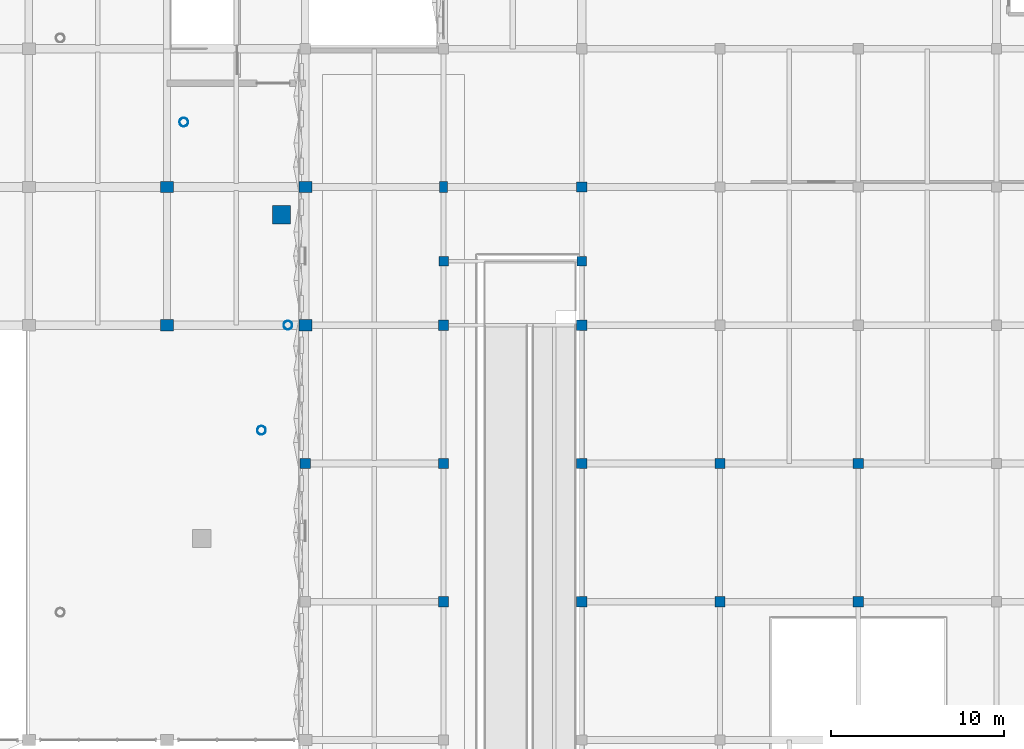
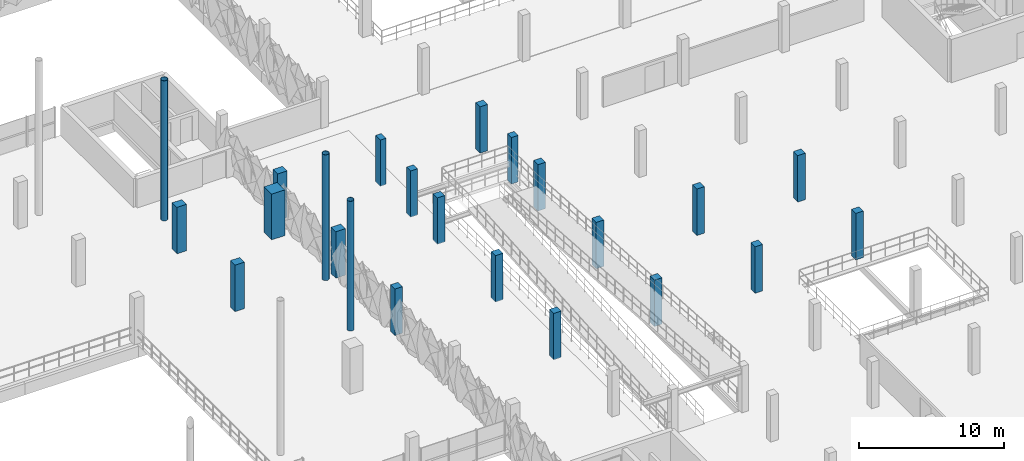
# One storey, part 13 of 123: 23 columns.
"""IFC4 building model written with IfcOpenShell, lengths in metres."""

import ifcopenshell
import ifcopenshell.guid

model = None  # the IFC model being written
_history = None  # IfcOwnerHistory: only IFC2X3 demands one
_inside = {}  # id of a spatial element -> (the spatial element, [elements in it])
_under = {}  # id of a project, library or spatial element -> (it, [spatial elements below it])
_declared = {}  # id of a project -> (the project, [libraries it declares])
_typed = {}  # id of a type object -> (the type object, [elements of that type])
_made_of = {}  # id of a material, layer set ... -> (it, [elements and type objects made of it])


def new_model(schema):
    """Start an empty IFC model of exactly this schema.

    Asked for "IFC4X3", IfcOpenShell would pick the latest addendum, in which some entities
    have other attributes; the version numbers below select the first issue.
    IFC2X3 requires an IfcOwnerHistory on every rooted entity: one is made here for all.
    """
    global model, _history
    if schema == "IFC4X3":
        model = ifcopenshell.file(schema_version=(4, 3, 0, 0))
    else:
        model = ifcopenshell.file(schema=schema)
    _inside.clear()
    _under.clear()
    _declared.clear()
    _typed.clear()
    _made_of.clear()
    _history = None
    if model.schema == "IFC2X3":
        org = make("IfcOrganization", Name="unknown")
        user = make(
            "IfcPersonAndOrganization",
            ThePerson=make("IfcPerson", FamilyName="unknown"),
            TheOrganization=org,
        )
        app = make(
            "IfcApplication",
            ApplicationDeveloper=org,
            Version="unknown",
            ApplicationFullName="unknown",
            ApplicationIdentifier="unknown",
        )
        _history = make(
            "IfcOwnerHistory",
            OwningUser=user,
            OwningApplication=app,
            ChangeAction="ADDED",
            CreationDate=0,
        )
    return model


def make(cls, **values):
    """One entity of the class cls with the attributes given. An attribute that is None is left unset."""
    return model.create_entity(
        cls, **{name: value for name, value in values.items() if value is not None}
    )


def rooted(cls, **values):
    """An entity with a GlobalId (a new one), such as an element, a storey or a relation."""
    return make(cls, GlobalId=ifcopenshell.guid.new(), OwnerHistory=_history, **values)


def si_unit(unit_type, name, prefix=None):
    """IfcSIUnit, for example si_unit("LENGTHUNIT", "METRE", prefix="MILLI")."""
    return make("IfcSIUnit", UnitType=unit_type, Prefix=prefix, Name=name)


def derived_unit(unit_type, elements):
    """IfcDerivedUnit: a product of units, each with its exponent."""
    return make(
        "IfcDerivedUnit",
        Elements=[
            make("IfcDerivedUnitElement", Unit=unit, Exponent=power)
            for unit, power in elements
        ],
        UnitType=unit_type,
    )


def assignment(units):
    """IfcUnitAssignment: the units of a project."""
    return None if units is None else make("IfcUnitAssignment", Units=units)


def point(xyz):
    """IfcCartesianPoint."""
    return None if xyz is None else make("IfcCartesianPoint", Coordinates=xyz)


def direction(xyz):
    """IfcDirection."""
    return None if xyz is None else make("IfcDirection", DirectionRatios=xyz)


def frame(location, z_axis=None, x_axis=None):
    """IfcAxis2Placement3D, a coordinate frame: its origin and axes. An axis left out is left unset."""
    return make(
        "IfcAxis2Placement3D",
        Location=point(location),
        Axis=direction(z_axis),
        RefDirection=direction(x_axis),
    )


def frame_2d(location, x_axis=None):
    """IfcAxis2Placement2D, a coordinate frame in the plane: its origin and x axis."""
    return make(
        "IfcAxis2Placement2D", Location=point(location), RefDirection=direction(x_axis)
    )


def origin():
    """The frame at (0, 0, 0) with its axes left unset."""
    return frame((0.0, 0.0, 0.0))


def origin_2d():
    """The frame at (0, 0) in the plane with its x axis left unset."""
    return frame_2d((0.0, 0.0))


def place(relative_to, where):
    """IfcLocalPlacement: puts the frame where relative to a parent placement (None: the world)."""
    return make(
        "IfcLocalPlacement", PlacementRelTo=relative_to, RelativePlacement=where
    )


def context(
    kind, dimensions, precision=None, world=None, true_north=None, identifier=None
):
    """IfcGeometricRepresentationContext, for example the 3D "Model" context."""
    return make(
        "IfcGeometricRepresentationContext",
        ContextIdentifier=identifier,
        ContextType=kind,
        CoordinateSpaceDimension=dimensions,
        Precision=precision,
        WorldCoordinateSystem=world,
        TrueNorth=true_north,
    )


def subcontext(parent, identifier, kind, view, scale=None):
    """IfcGeometricRepresentationSubContext, for example "Body" below "Model"."""
    return make(
        "IfcGeometricRepresentationSubContext",
        ContextIdentifier=identifier,
        ContextType=kind,
        ParentContext=parent,
        TargetScale=scale,
        TargetView=view,
    )


def project(units=None, contexts=None):
    """IfcProject with its units and contexts."""
    return rooted(
        "IfcProject",
        Name="project",
        RepresentationContexts=contexts,
        UnitsInContext=assignment(units),
    )


def spatial(cls, under=None, at=None, **own):
    """A site, building, storey or space (cls), placed at a placement, below another one or the project."""
    s = rooted(cls, ObjectPlacement=at, **own)
    if under is not None:
        _under.setdefault(under.id(), (under, []))[1].append(s)
    return s


def profile(cls, at=None, kind="AREA", **sizes):
    """A parametric profile (cls). Its sizes go by their IFC names, for example OverallWidth=200.0."""
    return make(cls, ProfileType=kind, Position=at, **sizes)


def rectangle(**sizes):
    """IfcRectangleProfileDef."""
    return profile("IfcRectangleProfileDef", **sizes)


def hollow_circle(**sizes):
    """IfcCircleHollowProfileDef."""
    return profile("IfcCircleHollowProfileDef", **sizes)


def extrude(swept, where, along, depth):
    """IfcExtrudedAreaSolid: the profile swept, set in the frame where, extruded along a direction by depth."""
    return make(
        "IfcExtrudedAreaSolid",
        SweptArea=swept,
        Position=where,
        ExtrudedDirection=direction(along),
        Depth=depth,
    )


def shape(context_of_items, identifier, shape_type, items):
    """IfcShapeRepresentation: the items that make up one representation, for example the "Body"."""
    return make(
        "IfcShapeRepresentation",
        ContextOfItems=context_of_items,
        RepresentationIdentifier=identifier,
        RepresentationType=shape_type,
        Items=items,
    )


def material(Name=None, Category=None):
    """IfcMaterial."""
    return make("IfcMaterial", Name=Name, Category=Category)


def material_profile(
    of_material, cross_section, Name=None, Category=None, Priority=None
):
    """IfcMaterialProfile: a cross section and its material."""
    return make(
        "IfcMaterialProfile",
        Name=Name,
        Material=of_material,
        Profile=cross_section,
        Priority=Priority,
        Category=Category,
    )


def profile_set(profiles, Name=None, composite=None):
    """IfcMaterialProfileSet."""
    return make(
        "IfcMaterialProfileSet",
        Name=Name,
        MaterialProfiles=profiles,
        CompositeProfile=composite,
    )


def made_of(thing, what):
    """Note that an element or type object is made of a material, layer set ...; save() writes the relation."""
    if what is not None:
        _made_of.setdefault(what.id(), (what, []))[1].append(thing)
    return thing


def type_object(cls, material=None, **own):
    """A type object (cls), such as IfcWallType, which elements share."""
    return made_of(rooted(cls, **own), material)


def element(
    cls,
    number,
    at=None,
    inside=None,
    cuts=None,
    type_object=None,
    material=None,
    context=None,
    identifier="Body",
    shape_type=None,
    held_by="IfcProductDefinitionShape",
    body=None,
    shapes=None,
    **own,
):
    """One element of the class cls, such as IfcWall. Its Tag is "e" and its number.

    at: its placement. inside: the storey or other place that contains it. cuts: it is an
    opening in that element (IfcRelVoidsElement). A single representation is given by context,
    identifier, shape_type and body (its items); several are given by shapes. held_by: the class
    of the entity that holds the representations. save() writes the other relations.
    """
    e = rooted(cls, Tag="e%d" % number, ObjectPlacement=at, **own)
    if body is not None:
        shapes = [shape(context, identifier, shape_type, body)]
    if shapes is not None:
        e.Representation = make(held_by, Representations=shapes)
    if inside is not None:
        _inside.setdefault(inside.id(), (inside, []))[1].append(e)
    if cuts is not None:
        rooted(
            "IfcRelVoidsElement", RelatingBuildingElement=cuts, RelatedOpeningElement=e
        )
    if type_object is not None:
        _typed.setdefault(type_object.id(), (type_object, []))[1].append(e)
    return made_of(e, material)


def aggregate(whole, parts):
    """IfcRelAggregates: a whole, such as a stair, and the parts it consists of."""
    return rooted("IfcRelAggregates", RelatingObject=whole, RelatedObjects=parts)


def save(model, path):
    """Write the relations noted so far, then the file.

    IfcRelAggregates (storeys below a building ...), IfcRelContainedInSpatialStructure (elements
    in a storey), IfcRelDefinesByType, IfcRelAssociatesMaterial and IfcRelDeclares: one each for
    every whole, place, type object, material and project.
    """
    for whole, parts in _under.values():
        aggregate(whole, parts)
    for where, things in _inside.values():
        rooted(
            "IfcRelContainedInSpatialStructure",
            RelatedElements=things,
            RelatingStructure=where,
        )
    for kind, things in _typed.values():
        rooted("IfcRelDefinesByType", RelatedObjects=things, RelatingType=kind)
    for what, things in _made_of.values():
        rooted("IfcRelAssociatesMaterial", RelatedObjects=things, RelatingMaterial=what)
    for by, libraries in _declared.values():
        rooted("IfcRelDeclares", RelatingContext=by, RelatedDefinitions=libraries)
    model.write(path)


model = new_model("IFC4")

# Units and contexts
model_context = context("Model", 3, precision=1e-05, world=origin(), true_north=direction((0.0, 1.0)))
body_context = subcontext(model_context, "Body", "Model", "MODEL_VIEW")
ifc_project = project(units=[si_unit("LENGTHUNIT", "METRE"), si_unit("AREAUNIT", "SQUARE_METRE"), si_unit("VOLUMEUNIT", "CUBIC_METRE"), si_unit("PLANEANGLEUNIT", "RADIAN"), si_unit("MASSUNIT", "GRAM", prefix="KILO"), si_unit("THERMODYNAMICTEMPERATUREUNIT", "KELVIN"), derived_unit("THERMALTRANSMITTANCEUNIT", [(si_unit("POWERUNIT", "WATT"), 1), (si_unit("AREAUNIT", "SQUARE_METRE"), -1), (si_unit("THERMODYNAMICTEMPERATUREUNIT", "KELVIN"), -1)])], contexts=[model_context])

# Site, building, storey
site_placement = place(None, origin())
site = spatial("IfcSite", under=ifc_project, at=site_placement, CompositionType="ELEMENT")
building_placement = place(site_placement, origin())
building = spatial("IfcBuilding", under=site, at=building_placement, Name="Haiyu Intermodal Mobility Hub", CompositionType="ELEMENT")
storey_placement = place(building_placement, frame((0.0, 0.0, 5.60009765625)))
storey = spatial("IfcBuildingStorey", under=building, at=storey_placement, Name="L01", CompositionType="ELEMENT", Elevation=5.60009765625)

# Columns
ifc_material_1 = material(Name="Concrete C40", Category="concrete")
ifc_material_profile_1 = material_profile(ifc_material_1, rectangle(XDim=0.75, YDim=0.64990234375, at=origin_2d()), Name="RC750x650")
ifc_profile_set_1 = profile_set([ifc_material_profile_1], Name="Concrete C40")
column_type_1 = type_object("IfcColumnType", Name="COL-CC07", PredefinedType="COLUMN", material=ifc_profile_set_1)
for number, where, z_axis, x_axis, name in (
    (1, (146.0, 64.0, 0.0), (0.0, 0.0, 1.0), (1.0, 0.0, 0.0), "Column V1-16G L01"),
    (2, (146.0, 72.0, 0.0), (0.0, 0.0, 1.0), (1.0, 0.0, 0.0), "Column V1-16H L01"),
    (3, (154.0, 64.0, 0.0), (0.0, 0.0, 1.0), (1.0, 0.0, 0.0), "Column V1-17G L01"),
    (4, (154.0, 72.0, 0.0), (0.0, 0.0, 1.0), (1.0, 0.0, 0.0), "Column V1-17H L01"),
):
    element("IfcColumn", number, at=place(storey_placement, frame(where, z_axis=z_axis, x_axis=x_axis)), inside=storey, type_object=column_type_1, Name=name, PredefinedType="COLUMN", context=body_context, shape_type="SweptSolid", body=[
        extrude(rectangle(XDim=0.75, YDim=0.64990234375, at=origin_2d()), origin(), (0.0, 0.0, 1.0), 3.89990234375),
    ])
ifc_material_profile_2 = material_profile(ifc_material_1, rectangle(XDim=0.60009765625, YDim=0.60009765625, at=origin_2d()), Name="RC600x600")
ifc_profile_set_2 = profile_set([ifc_material_profile_2], Name="Concrete C40")
column_type_2 = type_object("IfcColumnType", Name="COL-CC10", PredefinedType="COLUMN", material=ifc_profile_set_2)
for number, where, z_axis, x_axis, name in (
    (5, (170.0, 48.0, 0.0), (0.0, 0.0, 1.0), (1.0, 0.0, 0.0), "Column V5-19E L01"),
    (6, (170.0, 56.0, 0.0), (0.0, 0.0, 1.0), (1.0, 0.0, 0.0), "Column V5-19F L01"),
    (7, (170.0, 64.0, 0.0), (0.0, 0.0, 1.0), (1.0, 0.0, 0.0), "Column V5-19G L01"),
    (8, (178.0, 48.0, 0.0), (0.0, 0.0, 1.0), (1.0, 0.0, 0.0), "Column V5-20E L01"),
    (9, (178.0, 56.0, 0.0), (0.0, 0.0, 1.0), (1.0, 0.0, 0.0), "Column V5-20F L01"),
    (10, (186.0, 48.0, 0.0), (0.0, 0.0, 1.0), (1.0, 0.0, 0.0), "Column V5-21E L01"),
    (11, (186.0, 56.0, 0.0), (0.0, 0.0, 1.0), (1.0, 0.0, 0.0), "Column V5-21F L01"),
):
    element("IfcColumn", number, at=place(storey_placement, frame(where, z_axis=z_axis, x_axis=x_axis)), inside=storey, type_object=column_type_2, Name=name, PredefinedType="COLUMN", context=body_context, shape_type="SweptSolid", body=[
        extrude(rectangle(XDim=0.60009765625, YDim=0.60009765625, at=origin_2d()), origin(), (0.0, 0.0, 1.0), 3.89990234375),
    ])
ifc_material_profile_3 = material_profile(ifc_material_1, rectangle(XDim=0.60009765625, YDim=0.60009765625, at=origin_2d()), Name="RC600x600")
ifc_profile_set_3 = profile_set([ifc_material_profile_3], Name="Concrete C40")
column_type_3 = type_object("IfcColumnType", Name="COL-CC10-EXT", PredefinedType="COLUMN", material=ifc_profile_set_3)
for number, where, z_axis, x_axis, name in (
    (12, (154.0, 56.0, 0.0), (0.0, 0.0, 1.0), (1.0, 0.0, 0.0), "Column V5-17F L01"),
    (13, (162.0, 48.0, 0.0), (0.0, 0.0, 1.0), (1.0, 0.0, 0.0), "Column V5-18E L01"),
    (14, (162.0, 56.0, 0.0), (0.0, 0.0, 1.0), (1.0, 0.0, 0.0), "Column V5-18F L01"),
    (15, (162.0, 64.0, 0.0), (0.0, 0.0, 1.0), (1.0, 0.0, 0.0), "Column V5-18G L01"),
    (16, (170.0, 72.0, 0.0), (0.0, 0.0, 1.0), (1.0, 0.0, 0.0), "Column V5-19H L01"),
):
    element("IfcColumn", number, at=place(storey_placement, frame(where, z_axis=z_axis, x_axis=x_axis)), inside=storey, type_object=column_type_3, Name=name, PredefinedType="COLUMN", context=body_context, shape_type="SweptSolid", body=[
        extrude(rectangle(XDim=0.60009765625, YDim=0.60009765625, at=origin_2d()), origin(), (0.0, 0.0, 1.0), 3.89990234375),
    ])
ifc_material_profile_4 = material_profile(ifc_material_1, rectangle(XDim=0.550048828125, YDim=0.550048828125, at=origin_2d()), Name="RC550x550")
ifc_profile_set_4 = profile_set([ifc_material_profile_4], Name="Concrete C40")
column_type_4 = type_object("IfcColumnType", Name="COL-CC11", PredefinedType="COLUMN", material=ifc_profile_set_4)
for number, where, z_axis, x_axis, name in (
    (17, (162.0, 67.699951171875, 0.0), (0.0, 0.0, 1.0), (1.0, 0.0, 0.0), "Column BRMP-5 L01"),
    (18, (170.0, 67.699951171875, 0.0), (0.0, 0.0, 1.0), (1.0, 0.0, 0.0), "Column BRMP-6 L01"),
):
    element("IfcColumn", number, at=place(storey_placement, frame(where, z_axis=z_axis, x_axis=x_axis)), inside=storey, type_object=column_type_4, Name=name, PredefinedType="COLUMN", context=body_context, shape_type="SweptSolid", body=[
        extrude(rectangle(XDim=0.550048828125, YDim=0.550048828125, at=origin_2d()), origin(), (0.0, 0.0, 1.0), 3.89990234375),
    ])
ifc_material_profile_5 = material_profile(ifc_material_1, rectangle(XDim=1.050048828125, YDim=1.050048828125, at=origin_2d()), Name="RC1050x1050")
ifc_profile_set_5 = profile_set([ifc_material_profile_5], Name="Concrete C40")
column_type_5 = type_object("IfcColumnType", Name="COL-CC12-EXT", PredefinedType="COLUMN", material=ifc_profile_set_5)
column_1_placement = place(storey_placement, frame((152.6259765625, 70.39306640625, 0.0), z_axis=(0.0, 0.0, 1.0), x_axis=(1.0, 0.0, 0.0)))
element("IfcColumn", 19, at=column_1_placement, inside=storey, type_object=column_type_5, Name="Column MP-01 L01", PredefinedType="COLUMN", context=body_context, shape_type="SweptSolid", body=[
    extrude(rectangle(XDim=1.050048828125, YDim=1.050048828125, at=origin_2d()), origin(), (0.0, 0.0, 1.0), 3.8349609375),
])
ifc_material_profile_6 = material_profile(ifc_material_1, rectangle(XDim=0.449951171875, YDim=0.64990234375, at=origin_2d()), Name="C450x650")
ifc_profile_set_6 = profile_set([ifc_material_profile_6], Name="Concrete C40")
column_type_6 = type_object("IfcColumnType", Name="COL-PL13-EXT", PredefinedType="PILASTER", material=ifc_profile_set_6)
column_2_placement = place(storey_placement, frame((162.0, 72.0, 0.0), z_axis=(0.0, 0.0, 1.0), x_axis=(1.0, 0.0, 0.0)))
element("IfcColumn", 20, at=column_2_placement, inside=storey, type_object=column_type_6, Name="Column V5-18H L01", PredefinedType="PILASTER", context=body_context, shape_type="SweptSolid", body=[
    extrude(rectangle(XDim=0.449951171875, YDim=0.64990234375, at=origin_2d()), origin(), (0.0, 0.0, 1.0), 3.89990234375),
])
ifc_material_2 = material(Name="Steel Q355C", Category="steel")
ifc_material_profile_7 = material_profile(ifc_material_2, hollow_circle(Radius=0.25390625, WallThickness=0.01611328125, at=origin_2d()), Name="CHS508x16")
ifc_profile_set_7 = profile_set([ifc_material_profile_7], Name="Steel Q355C")
column_type_7 = type_object("IfcColumnType", Name="COL-SC02-EXT", PredefinedType="COLUMN", material=ifc_profile_set_7)
column_3_placement = place(storey_placement, frame((153.0, 64.0, 0.0), z_axis=(0.0, 0.0, 1.0), x_axis=(1.0, 0.0, 0.0)))
element("IfcColumn", 21, at=column_3_placement, inside=storey, type_object=column_type_7, Name="Column RCOL-01 L01", PredefinedType="COLUMN", context=body_context, shape_type="SweptSolid", body=[
    extrude(hollow_circle(Radius=0.25390625, WallThickness=0.01611328125, at=origin_2d()), origin(), (0.0, 0.0, 1.0), 10.559814453125),
])
column_4_placement = place(storey_placement, frame((146.970947265625, 75.75, 0.0), z_axis=(0.0, 0.0, 1.0), x_axis=(1.0, 0.0, 0.0)))
element("IfcColumn", 22, at=column_4_placement, inside=storey, type_object=column_type_7, Name="Column RCOL-03 L01", PredefinedType="COLUMN", context=body_context, shape_type="SweptSolid", body=[
    extrude(hollow_circle(Radius=0.25390625, WallThickness=0.01611328125, at=origin_2d()), origin(), (0.0, 0.0, 1.0), 11.760009765625),
])
column_5_placement = place(storey_placement, frame((151.467041015625, 57.91796875, 0.0), z_axis=(0.0, 0.0, 1.0), x_axis=(1.0, 0.0, 0.0)))
element("IfcColumn", 23, at=column_5_placement, inside=storey, type_object=column_type_7, Name="Column RCOL-24 L01", PredefinedType="COLUMN", context=body_context, shape_type="SweptSolid", body=[
    extrude(hollow_circle(Radius=0.25390625, WallThickness=0.01611328125, at=origin_2d()), origin(), (0.0, 0.0, 1.0), 10.8818359375),
])

save(model, "model.ifc")
